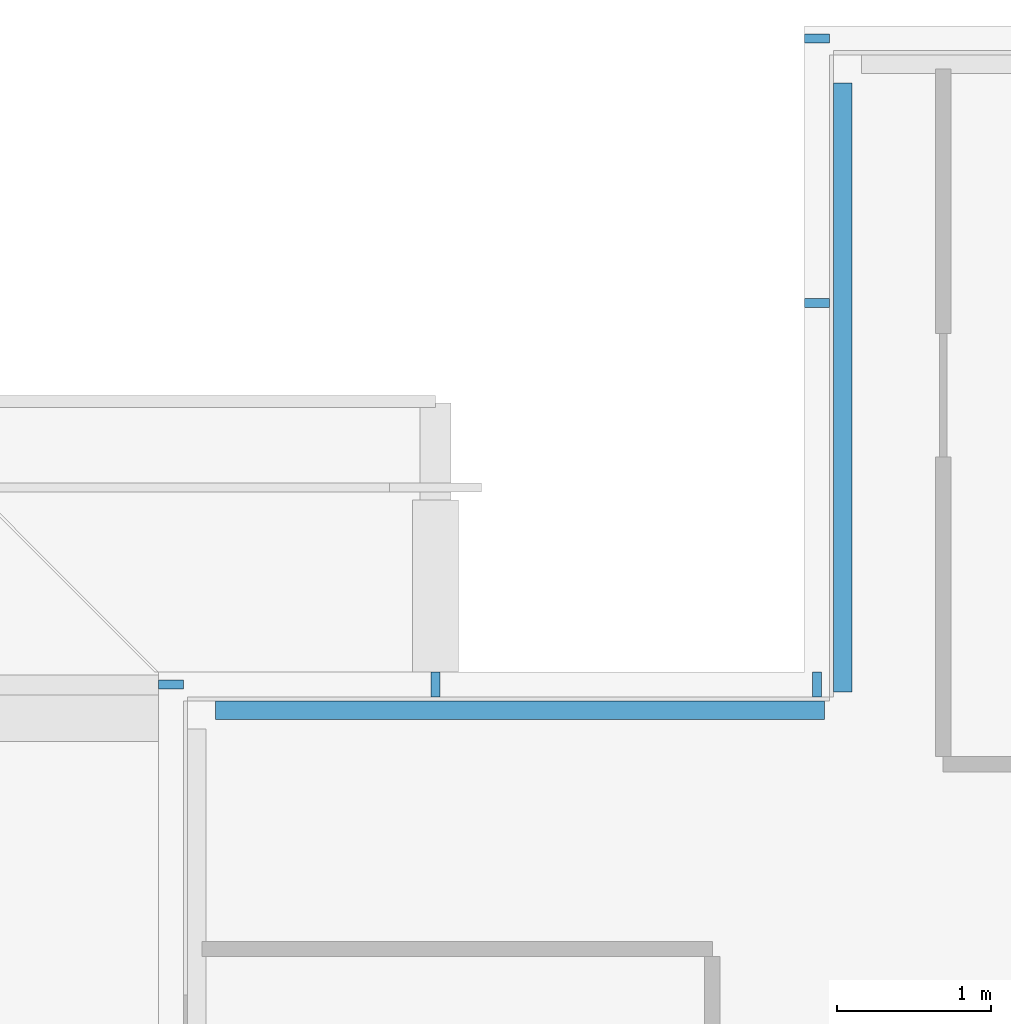
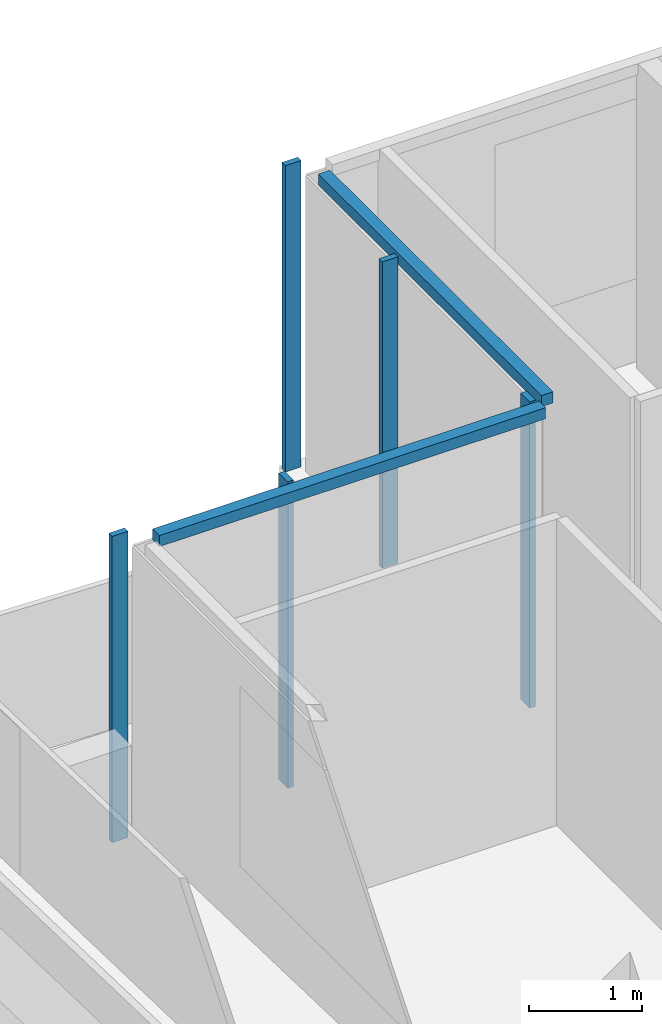
# One storey, part 6 of 19: 7 members, 3 elements without a shape of their own.
"""IFC4 building model written with IfcOpenShell, lengths in metres."""

from ifc_helpers import new_model, si_unit, direction, frame, origin, origin_2d, place, context, subcontext, project, spatial, rectangle, extrude, material, material_profile, profile_set, type_object, element, aggregate, save


model = new_model("IFC4")

# Units and contexts
model_context = context("Model", 3, precision=1e-05, world=origin(), true_north=direction((0.0, 1.0)))
body_context = subcontext(model_context, "Body", "Model", "MODEL_VIEW")
ifc_project = project(units=[si_unit("LENGTHUNIT", "METRE"), si_unit("AREAUNIT", "SQUARE_METRE"), si_unit("VOLUMEUNIT", "CUBIC_METRE"), si_unit("PLANEANGLEUNIT", "RADIAN"), si_unit("MASSUNIT", "GRAM", prefix="KILO")], contexts=[model_context])

# Site, building, storey
site_placement = place(None, origin())
site = spatial("IfcSite", under=ifc_project, at=site_placement, CompositionType="ELEMENT")
building_placement = place(site_placement, origin())
building = spatial("IfcBuilding", under=site, at=building_placement, Name="Saffron Gate Tower", CompositionType="ELEMENT")
storey_placement = place(building_placement, frame((0.0, 0.0, 292.35009765625)))
storey = spatial("IfcBuildingStorey", under=building, at=storey_placement, Name="L71", CompositionType="ELEMENT", Elevation=292.35009765625)

# Curtain wall, member
ifc_material = material(Name="Aluminium, bronze anodised", Category="aluminium")
curtain_wall_type_1 = type_object("IfcCurtainWallType", Name="CWS2 curtain wall side facades", PredefinedType="NOTDEFINED", material=ifc_material)
curtain_wall_1_placement = place(storey_placement, origin())
curtain_wall_1 = element("IfcCurtainWall", 1, at=curtain_wall_1_placement, inside=storey, type_object=curtain_wall_type_1, Name="CWS2 run 10", PredefinedType="NOTDEFINED")
ifc_material_profile_1 = material_profile(ifc_material, rectangle(XDim=0.159912109375, YDim=0.06005859375, at=origin_2d()))
ifc_profile_set_1 = profile_set([ifc_material_profile_1], Name="Aluminium, bronze anodised")
member_type_1 = type_object("IfcMemberType", Name="CWS2 mullion 60x160", PredefinedType="MULLION", material=ifc_profile_set_1)
member_1_placement = place(storey_placement, frame((56.47998046875, 71.320068359375, 0.0), z_axis=(0.0, 0.0, 1.0), x_axis=(1.0, 0.0, 0.0)))
member_1 = element("IfcMember", 2, at=member_1_placement, type_object=member_type_1, Name="CWS2 mullion 1", PredefinedType="MULLION", context=body_context, shape_type="SweptSolid", body=[
    extrude(rectangle(XDim=0.159912109375, YDim=0.06005859375, at=origin_2d()), origin(), (0.0, 0.0, 1.0), 3.31982421875),
])
aggregate(curtain_wall_1, [member_1])

curtain_wall_type_2 = type_object("IfcCurtainWallType", Name="CWS4 curtain wall corner returns", PredefinedType="NOTDEFINED", material=ifc_material)
curtain_wall_2_placement = place(storey_placement, origin())
curtain_wall_2 = element("IfcCurtainWall", 3, at=curtain_wall_2_placement, inside=storey, type_object=curtain_wall_type_2, Name="CWS4 run 8", PredefinedType="NOTDEFINED")
ifc_material_profile_2 = material_profile(ifc_material, rectangle(XDim=0.1201171875, YDim=0.1201171875, at=origin_2d()))
ifc_profile_set_2 = profile_set([ifc_material_profile_2], Name="Aluminium, bronze anodised")
member_type_2 = type_object("IfcMemberType", Name="CWS4 head transom", PredefinedType="USERDEFINED", material=ifc_profile_set_2)
member_2_placement = place(storey_placement, frame((60.847900390625, 75.23193359375, 3.260009765625), z_axis=(0.0, -1.0, 0.0), x_axis=(1.0, 0.0, 0.0)))
member_2 = element("IfcMember", 4, at=member_2_placement, type_object=member_type_2, Name="CWS4 head transom", ObjectType="TRANSOM", PredefinedType="USERDEFINED", context=body_context, shape_type="SweptSolid", body=[
    extrude(rectangle(XDim=0.1201171875, YDim=0.1201171875, at=origin_2d()), origin(), (0.0, 0.0, 1.0), 3.9599609375),
])

curtain_wall_3_placement = place(storey_placement, origin())
curtain_wall_3 = element("IfcCurtainWall", 5, at=curtain_wall_3_placement, inside=storey, type_object=curtain_wall_type_2, Name="CWS4 run 9", PredefinedType="NOTDEFINED")
member_3_placement = place(storey_placement, frame((60.72802734375, 71.152099609375, 3.260009765625), z_axis=(-1.0, 0.0, 0.0), x_axis=(0.0, -1.0, 0.0)))
member_3 = element("IfcMember", 6, at=member_3_placement, type_object=member_type_2, Name="CWS4 head transom", ObjectType="TRANSOM", PredefinedType="USERDEFINED", context=body_context, shape_type="SweptSolid", body=[
    extrude(rectangle(XDim=0.1201171875, YDim=0.1201171875, at=origin_2d()), origin(), (0.0, 0.0, 1.0), 3.9599609375),
])

# Member
ifc_material_profile_3 = material_profile(ifc_material, rectangle(XDim=0.159912109375, YDim=0.06005859375, at=origin_2d()))
ifc_profile_set_3 = profile_set([ifc_material_profile_3], Name="Aluminium, bronze anodised")
member_type_3 = type_object("IfcMemberType", Name="CWS4 mullion 60x160", PredefinedType="MULLION", material=ifc_profile_set_3)
member_4_placement = place(storey_placement, frame((60.679931640625, 75.52001953125, 0.0), z_axis=(0.0, 0.0, 1.0), x_axis=(1.0, 0.0, 0.0)))
member_4 = element("IfcMember", 7, at=member_4_placement, type_object=member_type_3, Name="CWS4 mullion 1", PredefinedType="MULLION", context=body_context, shape_type="SweptSolid", body=[
    extrude(rectangle(XDim=0.159912109375, YDim=0.06005859375, at=origin_2d()), origin(), (0.0, 0.0, 1.0), 3.31982421875),
])

member_5_placement = place(storey_placement, frame((60.679931640625, 73.800048828125, 0.0), z_axis=(0.0, 0.0, 1.0), x_axis=(1.0, 0.0, 0.0)))
member_5 = element("IfcMember", 8, at=member_5_placement, type_object=member_type_3, Name="CWS4 mullion 2", PredefinedType="MULLION", context=body_context, shape_type="SweptSolid", body=[
    extrude(rectangle(XDim=0.159912109375, YDim=0.06005859375, at=origin_2d()), origin(), (0.0, 0.0, 1.0), 3.31982421875),
])

aggregate(curtain_wall_2, [member_4, member_5, member_2])

member_6_placement = place(storey_placement, frame((60.679931640625, 71.320068359375, 0.0), z_axis=(0.0, 0.0, 1.0), x_axis=(0.0, -1.0, 0.0)))
member_6 = element("IfcMember", 9, at=member_6_placement, type_object=member_type_3, Name="CWS4 mullion 1", PredefinedType="MULLION", context=body_context, shape_type="SweptSolid", body=[
    extrude(rectangle(XDim=0.159912109375, YDim=0.06005859375, at=origin_2d()), origin(), (0.0, 0.0, 1.0), 3.31982421875),
])

member_7_placement = place(storey_placement, frame((58.199951171875, 71.320068359375, 0.0), z_axis=(0.0, 0.0, 1.0), x_axis=(0.0, -1.0, 0.0)))
member_7 = element("IfcMember", 10, at=member_7_placement, type_object=member_type_3, Name="CWS4 mullion 2", PredefinedType="MULLION", context=body_context, shape_type="SweptSolid", body=[
    extrude(rectangle(XDim=0.159912109375, YDim=0.06005859375, at=origin_2d()), origin(), (0.0, 0.0, 1.0), 3.31982421875),
])

aggregate(curtain_wall_3, [member_6, member_7, member_3])

save(model, "model.ifc")
